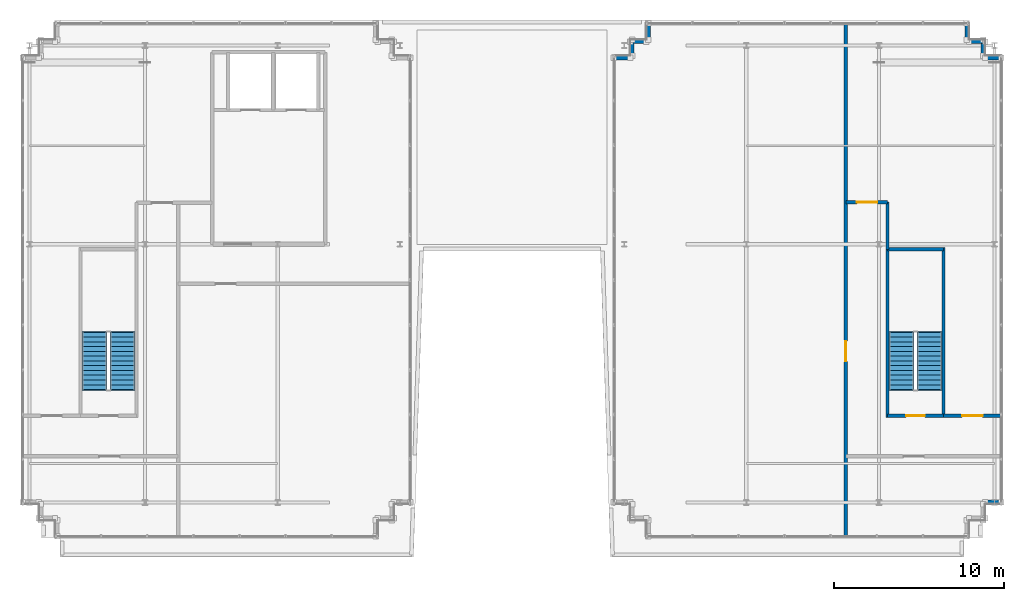
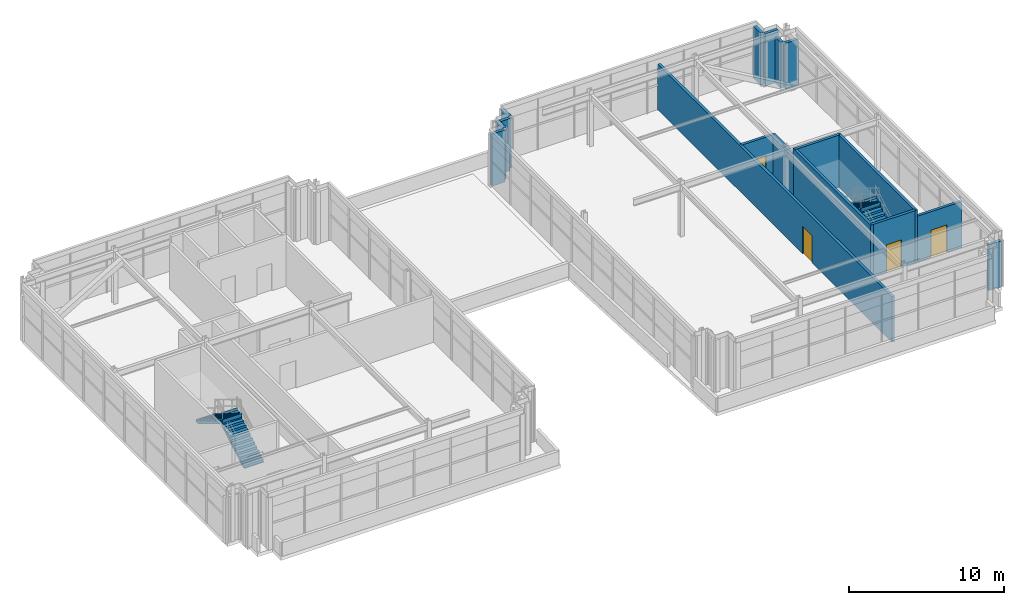
# One storey, part 29 of 31: 17 walls, 4 doors, 4 stair flights, 4 openings, 2 elements without a shape of their own.
"""IFC4 building model written with IfcOpenShell, lengths in metres."""

import ifcopenshell
import ifcopenshell.guid

model = None  # the IFC model being written
_history = None  # IfcOwnerHistory: only IFC2X3 demands one
_inside = {}  # id of a spatial element -> (the spatial element, [elements in it])
_under = {}  # id of a project, library or spatial element -> (it, [spatial elements below it])
_declared = {}  # id of a project -> (the project, [libraries it declares])
_typed = {}  # id of a type object -> (the type object, [elements of that type])
_made_of = {}  # id of a material, layer set ... -> (it, [elements and type objects made of it])


def new_model(schema):
    """Start an empty IFC model of exactly this schema.

    Asked for "IFC4X3", IfcOpenShell would pick the latest addendum, in which some entities
    have other attributes; the version numbers below select the first issue.
    IFC2X3 requires an IfcOwnerHistory on every rooted entity: one is made here for all.
    """
    global model, _history
    if schema == "IFC4X3":
        model = ifcopenshell.file(schema_version=(4, 3, 0, 0))
    else:
        model = ifcopenshell.file(schema=schema)
    _inside.clear()
    _under.clear()
    _declared.clear()
    _typed.clear()
    _made_of.clear()
    _history = None
    if model.schema == "IFC2X3":
        org = make("IfcOrganization", Name="unknown")
        user = make(
            "IfcPersonAndOrganization",
            ThePerson=make("IfcPerson", FamilyName="unknown"),
            TheOrganization=org,
        )
        app = make(
            "IfcApplication",
            ApplicationDeveloper=org,
            Version="unknown",
            ApplicationFullName="unknown",
            ApplicationIdentifier="unknown",
        )
        _history = make(
            "IfcOwnerHistory",
            OwningUser=user,
            OwningApplication=app,
            ChangeAction="ADDED",
            CreationDate=0,
        )
    return model


def make(cls, **values):
    """One entity of the class cls with the attributes given. An attribute that is None is left unset."""
    return model.create_entity(
        cls, **{name: value for name, value in values.items() if value is not None}
    )


def rooted(cls, **values):
    """An entity with a GlobalId (a new one), such as an element, a storey or a relation."""
    return make(cls, GlobalId=ifcopenshell.guid.new(), OwnerHistory=_history, **values)


def si_unit(unit_type, name, prefix=None):
    """IfcSIUnit, for example si_unit("LENGTHUNIT", "METRE", prefix="MILLI")."""
    return make("IfcSIUnit", UnitType=unit_type, Prefix=prefix, Name=name)


def assignment(units):
    """IfcUnitAssignment: the units of a project."""
    return None if units is None else make("IfcUnitAssignment", Units=units)


def point(xyz):
    """IfcCartesianPoint."""
    return None if xyz is None else make("IfcCartesianPoint", Coordinates=xyz)


def direction(xyz):
    """IfcDirection."""
    return None if xyz is None else make("IfcDirection", DirectionRatios=xyz)


def frame(location, z_axis=None, x_axis=None):
    """IfcAxis2Placement3D, a coordinate frame: its origin and axes. An axis left out is left unset."""
    return make(
        "IfcAxis2Placement3D",
        Location=point(location),
        Axis=direction(z_axis),
        RefDirection=direction(x_axis),
    )


def frame_2d(location, x_axis=None):
    """IfcAxis2Placement2D, a coordinate frame in the plane: its origin and x axis."""
    return make(
        "IfcAxis2Placement2D", Location=point(location), RefDirection=direction(x_axis)
    )


def origin():
    """The frame at (0, 0, 0) with its axes left unset."""
    return frame((0.0, 0.0, 0.0))


def place(relative_to, where):
    """IfcLocalPlacement: puts the frame where relative to a parent placement (None: the world)."""
    return make(
        "IfcLocalPlacement", PlacementRelTo=relative_to, RelativePlacement=where
    )


def context(
    kind, dimensions, precision=None, world=None, true_north=None, identifier=None
):
    """IfcGeometricRepresentationContext, for example the 3D "Model" context."""
    return make(
        "IfcGeometricRepresentationContext",
        ContextIdentifier=identifier,
        ContextType=kind,
        CoordinateSpaceDimension=dimensions,
        Precision=precision,
        WorldCoordinateSystem=world,
        TrueNorth=true_north,
    )


def subcontext(parent, identifier, kind, view, scale=None):
    """IfcGeometricRepresentationSubContext, for example "Body" below "Model"."""
    return make(
        "IfcGeometricRepresentationSubContext",
        ContextIdentifier=identifier,
        ContextType=kind,
        ParentContext=parent,
        TargetScale=scale,
        TargetView=view,
    )


def project(units=None, contexts=None):
    """IfcProject with its units and contexts."""
    return rooted(
        "IfcProject",
        Name="project",
        RepresentationContexts=contexts,
        UnitsInContext=assignment(units),
    )


def spatial(cls, under=None, at=None, **own):
    """A site, building, storey or space (cls), placed at a placement, below another one or the project."""
    s = rooted(cls, ObjectPlacement=at, **own)
    if under is not None:
        _under.setdefault(under.id(), (under, []))[1].append(s)
    return s


def polyline(points):
    """IfcPolyline through the points."""
    return make("IfcPolyline", Points=[point(p) for p in points])


def profile(cls, at=None, kind="AREA", **sizes):
    """A parametric profile (cls). Its sizes go by their IFC names, for example OverallWidth=200.0."""
    return make(cls, ProfileType=kind, Position=at, **sizes)


def rectangle(**sizes):
    """IfcRectangleProfileDef."""
    return profile("IfcRectangleProfileDef", **sizes)


def outline(outer, holes=None, kind="AREA"):
    """IfcArbitraryClosedProfileDef: a profile drawn as a closed curve; with holes, ...WithVoids."""
    if holes is None:
        return make("IfcArbitraryClosedProfileDef", ProfileType=kind, OuterCurve=outer)
    return make(
        "IfcArbitraryProfileDefWithVoids",
        ProfileType=kind,
        OuterCurve=outer,
        InnerCurves=holes,
    )


def extrude(swept, where, along, depth):
    """IfcExtrudedAreaSolid: the profile swept, set in the frame where, extruded along a direction by depth."""
    return make(
        "IfcExtrudedAreaSolid",
        SweptArea=swept,
        Position=where,
        ExtrudedDirection=direction(along),
        Depth=depth,
    )


def shape(context_of_items, identifier, shape_type, items):
    """IfcShapeRepresentation: the items that make up one representation, for example the "Body"."""
    return make(
        "IfcShapeRepresentation",
        ContextOfItems=context_of_items,
        RepresentationIdentifier=identifier,
        RepresentationType=shape_type,
        Items=items,
    )


def source(mapping_origin, context_of_items, identifier, shape_type, items):
    """IfcRepresentationMap: a shape defined once, which mapped items show again and again."""
    return make(
        "IfcRepresentationMap",
        MappingOrigin=mapping_origin,
        MappedRepresentation=shape(context_of_items, identifier, shape_type, items),
    )


def transform(
    local_origin,
    x_axis=None,
    y_axis=None,
    z_axis=None,
    scale=None,
    scale2=None,
    scale3=None,
    uniform=True,
):
    """IfcCartesianTransformationOperator3D, or its non-uniform kind. x_axis, y_axis, z_axis: its Axis1, 2, 3."""
    if uniform:
        return make(
            "IfcCartesianTransformationOperator3D",
            Axis1=direction(x_axis),
            Axis2=direction(y_axis),
            LocalOrigin=point(local_origin),
            Scale=scale,
            Axis3=direction(z_axis),
        )
    return make(
        "IfcCartesianTransformationOperator3DnonUniform",
        Axis1=direction(x_axis),
        Axis2=direction(y_axis),
        LocalOrigin=point(local_origin),
        Scale=scale,
        Axis3=direction(z_axis),
        Scale2=scale2,
        Scale3=scale3,
    )


def mapped(mapping_source, mapping_target):
    """IfcMappedItem: shows the shape of a source again, moved by a transform."""
    return make(
        "IfcMappedItem", MappingSource=mapping_source, MappingTarget=mapping_target
    )


def material(Name=None, Category=None):
    """IfcMaterial."""
    return make("IfcMaterial", Name=Name, Category=Category)


def layer(
    of_material, thickness, ventilated=None, Name=None, Category=None, Priority=None
):
    """IfcMaterialLayer: one layer of a wall or slab, of a material (None: an air gap)."""
    return make(
        "IfcMaterialLayer",
        Material=of_material,
        LayerThickness=thickness,
        IsVentilated=ventilated,
        Name=Name,
        Category=Category,
        Priority=Priority,
    )


def layer_set(layers, Name=None):
    """IfcMaterialLayerSet."""
    return make("IfcMaterialLayerSet", MaterialLayers=layers, LayerSetName=Name)


def made_of(thing, what):
    """Note that an element or type object is made of a material, layer set ...; save() writes the relation."""
    if what is not None:
        _made_of.setdefault(what.id(), (what, []))[1].append(thing)
    return thing


def type_object(cls, material=None, **own):
    """A type object (cls), such as IfcWallType, which elements share."""
    return made_of(rooted(cls, **own), material)


def element(
    cls,
    number,
    at=None,
    inside=None,
    cuts=None,
    type_object=None,
    material=None,
    context=None,
    identifier="Body",
    shape_type=None,
    held_by="IfcProductDefinitionShape",
    body=None,
    shapes=None,
    **own,
):
    """One element of the class cls, such as IfcWall. Its Tag is "e" and its number.

    at: its placement. inside: the storey or other place that contains it. cuts: it is an
    opening in that element (IfcRelVoidsElement). A single representation is given by context,
    identifier, shape_type and body (its items); several are given by shapes. held_by: the class
    of the entity that holds the representations. save() writes the other relations.
    """
    e = rooted(cls, Tag="e%d" % number, ObjectPlacement=at, **own)
    if body is not None:
        shapes = [shape(context, identifier, shape_type, body)]
    if shapes is not None:
        e.Representation = make(held_by, Representations=shapes)
    if inside is not None:
        _inside.setdefault(inside.id(), (inside, []))[1].append(e)
    if cuts is not None:
        rooted(
            "IfcRelVoidsElement", RelatingBuildingElement=cuts, RelatedOpeningElement=e
        )
    if type_object is not None:
        _typed.setdefault(type_object.id(), (type_object, []))[1].append(e)
    return made_of(e, material)


def fill(opening, filler):
    """IfcRelFillsElement: the door or window that sits in an opening."""
    return rooted(
        "IfcRelFillsElement",
        RelatingOpeningElement=opening,
        RelatedBuildingElement=filler,
    )


def aggregate(whole, parts):
    """IfcRelAggregates: a whole, such as a stair, and the parts it consists of."""
    return rooted("IfcRelAggregates", RelatingObject=whole, RelatedObjects=parts)


def save(model, path):
    """Write the relations noted so far, then the file.

    IfcRelAggregates (storeys below a building ...), IfcRelContainedInSpatialStructure (elements
    in a storey), IfcRelDefinesByType, IfcRelAssociatesMaterial and IfcRelDeclares: one each for
    every whole, place, type object, material and project.
    """
    for whole, parts in _under.values():
        aggregate(whole, parts)
    for where, things in _inside.values():
        rooted(
            "IfcRelContainedInSpatialStructure",
            RelatedElements=things,
            RelatingStructure=where,
        )
    for kind, things in _typed.values():
        rooted("IfcRelDefinesByType", RelatedObjects=things, RelatingType=kind)
    for what, things in _made_of.values():
        rooted("IfcRelAssociatesMaterial", RelatedObjects=things, RelatingMaterial=what)
    for by, libraries in _declared.values():
        rooted("IfcRelDeclares", RelatingContext=by, RelatedDefinitions=libraries)
    model.write(path)


model = new_model("IFC4")

# Units and contexts
model_context = context("Model", 3, precision=1e-05, world=origin(), true_north=direction((0.0, 1.0)))
body_context = subcontext(model_context, "Body", "Model", "MODEL_VIEW")
ifc_project = project(units=[si_unit("LENGTHUNIT", "METRE"), si_unit("AREAUNIT", "SQUARE_METRE"), si_unit("VOLUMEUNIT", "CUBIC_METRE"), si_unit("PLANEANGLEUNIT", "RADIAN"), si_unit("MASSUNIT", "GRAM", prefix="KILO")], contexts=[model_context])

# Site, building, storey
site_placement = place(None, origin())
site = spatial("IfcSite", under=ifc_project, at=site_placement, CompositionType="ELEMENT")
building_placement = place(site_placement, origin())
building = spatial("IfcBuilding", under=site, at=building_placement, Name="Trelvane Seafront Commons", CompositionType="ELEMENT")
storey_placement = place(building_placement, frame((0.0, 0.0, 307.89990234375)))
storey = spatial("IfcBuildingStorey", under=building, at=storey_placement, Name="L80", CompositionType="ELEMENT", Elevation=307.89990234375)

# Walls
ifc_material_1 = material(Name="Precast concrete C40/50", Category="concrete")
ifc_layer_1 = layer(ifc_material_1, 0.239990234375, Name="ARCH-WALL-EXT240")
ifc_layer_set_1 = layer_set([ifc_layer_1], Name="Precast concrete C40/50")
wall_type_1 = type_object("IfcWallType", Name="ARCH-WALL-EXT240", PredefinedType="SOLIDWALL", material=ifc_layer_set_1)
for number, where, z_axis, x_axis, name in (
    (1, (43.199951171875, 44.3798828125, 0.0), (0.0, 0.0, 1.0), (1.0, 0.0, 0.0), "EW-L80-CRN-01667"),
    (2, (44.27001953125, 44.5, 0.0), (0.0, 0.0, 1.0), (0.0, 1.0, 0.0), "EW-L80-CRN-01668"),
):
    element("IfcWall", number, at=place(storey_placement, frame(where, z_axis=z_axis, x_axis=x_axis)), inside=storey, type_object=wall_type_1, Name=name, PredefinedType="SOLIDWALL", context=body_context, shape_type="SweptSolid", body=[
        extrude(rectangle(XDim=0.949951171875, YDim=0.239990234375, at=frame_2d((0.47509765625, 0.0))), origin(), (0.0, 0.0, 1.0), 4.10009765625),
    ])
wall_1_placement = place(storey_placement, frame((44.14990234375, 45.330078125, 0.0), z_axis=(0.0, 0.0, 1.0), x_axis=(1.0, 0.0, 0.0)))
element("IfcWall", 3, at=wall_1_placement, inside=storey, type_object=wall_type_1, Name="EW-L80-CRN-01669", PredefinedType="SOLIDWALL", context=body_context, shape_type="SweptSolid", body=[
    extrude(rectangle(XDim=0.9501953125, YDim=0.239990234375, at=frame_2d((0.47509765625, 0.0))), origin(), (0.0, 0.0, 1.0), 4.10009765625),
])
for number, where, z_axis, x_axis, name in (
    (4, (45.219970703125, 45.449951171875, 0.0), (0.0, 0.0, 1.0), (0.0, 1.0, 0.0), "EW-L80-CRN-01670"),
    (5, (63.97998046875, 46.39990234375, 0.0), (0.0, 0.0, 1.0), (0.0, -1.0, 0.0), "EW-L80-CRN-01671"),
    (6, (64.10009765625, 45.330078125, 0.0), (0.0, 0.0, 1.0), (1.0, 0.0, 0.0), "EW-L80-CRN-01672"),
):
    element("IfcWall", number, at=place(storey_placement, frame(where, z_axis=z_axis, x_axis=x_axis)), inside=storey, type_object=wall_type_1, Name=name, PredefinedType="SOLIDWALL", context=body_context, shape_type="SweptSolid", body=[
        extrude(rectangle(XDim=0.949951171875, YDim=0.239990234375, at=frame_2d((0.47509765625, 0.0))), origin(), (0.0, 0.0, 1.0), 4.10009765625),
    ])
for number, where, z_axis, x_axis, name in (
    (7, (64.929931640625, 45.449951171875, 0.0), (0.0, 0.0, 1.0), (0.0, -1.0, 0.0), "EW-L80-CRN-01673"),
    (8, (65.050048828125, 44.3798828125, 0.0), (0.0, 0.0, 1.0), (1.0, 0.0, 0.0), "EW-L80-CRN-01674"),
    (9, (66.0, 18.219970703125, 0.0), (0.0, 0.0, 1.0), (-1.0, 0.0, 0.0), "EW-L80-CRN-01675"),
):
    element("IfcWall", number, at=place(storey_placement, frame(where, z_axis=z_axis, x_axis=x_axis)), inside=storey, type_object=wall_type_1, Name=name, PredefinedType="SOLIDWALL", context=body_context, shape_type="SweptSolid", body=[
        extrude(rectangle(XDim=0.949951171875, YDim=0.239990234375, at=frame_2d((0.47509765625, 0.0))), origin(), (0.0, 0.0, 1.0), 3.60009765625),
    ])

# Wall, opening, door
ifc_material_2 = material(Name="Concrete C40/50", Category="concrete")
ifc_layer_2 = layer(ifc_material_2, 0.199951171875, Name="ARCH-WALL-FIRE200")
ifc_layer_set_2 = layer_set([ifc_layer_2], Name="Concrete C40/50")
wall_type_2 = type_object("IfcWallType", Name="ARCH-WALL-FIRE200", PredefinedType="PARTITIONING", material=ifc_layer_set_2)
wall_2_placement = place(storey_placement, frame((56.85009765625, 16.2099609375, 0.0), z_axis=(0.0, 0.0, 1.0), x_axis=(0.0, 1.0, 0.0)))
wall_2 = element("IfcWall", 10, at=wall_2_placement, inside=storey, type_object=wall_type_2, Name="W-L80-CRNE-W-023", PredefinedType="PARTITIONING", context=body_context, shape_type="SweptSolid", body=[
    extrude(rectangle(XDim=30.179931640625, YDim=0.199951171875, at=frame_2d((15.08984375, 0.0))), origin(), (0.0, 0.0, 1.0), 3.60009765625),
])
opening_1_placement = place(wall_2_placement, frame((10.2900390625, 0.0, 0.0)))
opening_1 = element("IfcOpeningElement", 11, at=opening_1_placement, cuts=wall_2, Name="Opening FD-L80-10", PredefinedType="OPENING", context=body_context, shape_type="SweptSolid", body=[
    extrude(rectangle(XDim=1.199951171875, YDim=2.14990234375, at=frame_2d((0.60009765625, 1.074951171875))), frame((0.0, 0.10986328125, 0.0), z_axis=(0.0, -1.0, 0.0), x_axis=(1.0, 0.0, 0.0)), (0.0, 0.0, 1.0), 0.219970703125),
])
ifc_material_3 = material(Name="Powder-coated aluminium frame", Category="aluminium")
door_type_1 = type_object("IfcDoorType", Name="ARCH-DR-FD60-1200", OperationType="NOTDEFINED", PredefinedType="DOOR", material=ifc_material_3)
shared_shape_1 = source(origin(), body_context, "Body", "SweptSolid", [
    extrude(rectangle(XDim=1.199951171875, YDim=2.14990234375, at=frame_2d((0.60009765625, 1.074951171875))), frame((0.0, 0.02490234375, 0.0), z_axis=(0.0, -1.0, 0.0), x_axis=(1.0, 0.0, 0.0)), (0.0, 0.0, 1.0), 0.050048828125),
])
door_1_placement = place(opening_1_placement, origin())
door_1 = element("IfcDoor", 12, at=door_1_placement, inside=storey, type_object=door_type_1, Name="L80 Break Tank Room Door", OperationType="SINGLE_SWING_RIGHT", OverallHeight=2.14990234375, OverallWidth=1.199951171875, PredefinedType="DOOR", context=body_context, shape_type="MappedRepresentation", body=[
    mapped(shared_shape_1, transform((0.0, 0.0, 0.0), x_axis=(1.0, 0.0, 0.0), y_axis=(0.0, 1.0, 0.0), z_axis=(0.0, 0.0, 1.0), scale=1.0)),
])
fill(opening_1, door_1)

wall_3_placement = place(storey_placement, frame((62.60009765625, 23.300048828125, 0.0), z_axis=(0.0, 0.0, 1.0), x_axis=(1.0, 0.0, 0.0)))
wall_3 = element("IfcWall", 13, at=wall_3_placement, inside=storey, type_object=wall_type_2, Name="W-L80-CRNE-ETK-025", PredefinedType="PARTITIONING", context=body_context, shape_type="SweptSolid", body=[
    extrude(rectangle(XDim=3.389892578125, YDim=0.199951171875, at=frame_2d((1.69482421875, 0.0))), origin(), (0.0, 0.0, 1.0), 3.60009765625),
])
opening_2_placement = place(wall_3_placement, frame((1.10009765625, 0.0, 0.0)))
opening_2 = element("IfcOpeningElement", 14, at=opening_2_placement, cuts=wall_3, Name="Opening FD-L80-12", PredefinedType="OPENING", context=body_context, shape_type="SweptSolid", body=[
    extrude(rectangle(XDim=1.199951171875, YDim=2.14990234375, at=frame_2d((0.60009765625, 1.074951171875))), frame((0.0, 0.10986328125, 0.0), z_axis=(0.0, -1.0, 0.0), x_axis=(1.0, 0.0, 0.0)), (0.0, 0.0, 1.0), 0.219970703125),
])
door_2_placement = place(opening_2_placement, origin())
door_2 = element("IfcDoor", 15, at=door_2_placement, inside=storey, type_object=door_type_1, Name="L80 Door 12", OperationType="SINGLE_SWING_RIGHT", OverallHeight=2.14990234375, OverallWidth=1.199951171875, PredefinedType="DOOR", context=body_context, shape_type="MappedRepresentation", body=[
    mapped(shared_shape_1, transform((0.0, 0.0, 0.0), x_axis=(1.0, 0.0, 0.0), y_axis=(0.0, 1.0, 0.0), z_axis=(0.0, 0.0, 1.0), scale=1.0)),
])
fill(opening_2, door_2)

wall_4_placement = place(storey_placement, frame((56.85009765625, 35.8798828125, 0.0), z_axis=(0.0, 0.0, 1.0), x_axis=(1.0, 0.0, 0.0)))
wall_4 = element("IfcWall", 16, at=wall_4_placement, inside=storey, type_object=wall_type_2, Name="W-L80-CRNE-N-026", PredefinedType="PARTITIONING", context=body_context, shape_type="SweptSolid", body=[
    extrude(rectangle(XDim=2.449951171875, YDim=0.199951171875, at=frame_2d((1.22509765625, 0.0))), origin(), (0.0, 0.0, 1.0), 3.60009765625),
])
opening_3_placement = place(wall_4_placement, frame((0.64990234375, 0.0, 0.0)))
opening_3 = element("IfcOpeningElement", 17, at=opening_3_placement, cuts=wall_4, Name="Opening FD-L80-13", PredefinedType="OPENING", context=body_context, shape_type="SweptSolid", body=[
    extrude(rectangle(XDim=1.199951171875, YDim=2.14990234375, at=frame_2d((0.60009765625, 1.074951171875))), frame((0.0, 0.10986328125, 0.0), z_axis=(0.0, -1.0, 0.0), x_axis=(1.0, 0.0, 0.0)), (0.0, 0.0, 1.0), 0.219970703125),
])
door_3_placement = place(opening_3_placement, origin())
door_3 = element("IfcDoor", 18, at=door_3_placement, inside=storey, type_object=door_type_1, Name="L80 BMS Fan Room Door", OperationType="SINGLE_SWING_LEFT", OverallHeight=2.14990234375, OverallWidth=1.199951171875, PredefinedType="DOOR", context=body_context, shape_type="MappedRepresentation", body=[
    mapped(shared_shape_1, transform((0.0, 0.0, 0.0), x_axis=(1.0, 0.0, 0.0), y_axis=(0.0, 1.0, 0.0), z_axis=(0.0, 0.0, 1.0), scale=1.0)),
])
fill(opening_3, door_3)

# Walls
wall_5_placement = place(storey_placement, frame((59.300048828125, 33.10009765625, 0.0), z_axis=(0.0, 0.0, 1.0), x_axis=(0.0, 1.0, 0.0)))
element("IfcWall", 19, at=wall_5_placement, inside=storey, type_object=wall_type_2, Name="W-L80-CRNE-SPE-027", PredefinedType="PARTITIONING", context=body_context, shape_type="SweptSolid", body=[
    extrude(rectangle(XDim=2.77978515625, YDim=0.199951171875, at=frame_2d((1.389892578125, 0.0))), origin(), (0.0, 0.0, 1.0), 3.60009765625),
])
ifc_material_4 = material(Name="Concrete C50/60", Category="concrete")
ifc_layer_3 = layer(ifc_material_4, 0.199951171875, Name="STR-WALL-STAIR200")
ifc_layer_set_3 = layer_set([ifc_layer_3], Name="Concrete C50/60")
wall_type_3 = type_object("IfcWallType", Name="STR-WALL-STAIR200", PredefinedType="SHEAR", material=ifc_layer_set_3)
for number, where, z_axis, x_axis, name in (
    (20, (59.300048828125, 23.199951171875, 0.0), (0.0, 0.0, 1.0), (0.0, 1.0, 0.0), "W-L80-ST6-W-005"),
    (21, (62.60009765625, 23.199951171875, 0.0), (0.0, 0.0, 1.0), (0.0, 1.0, 0.0), "W-L80-ST6-E-006"),
):
    element("IfcWall", number, at=place(storey_placement, frame(where, z_axis=z_axis, x_axis=x_axis)), inside=storey, type_object=wall_type_3, Name=name, PredefinedType="SHEAR", context=body_context, shape_type="SweptSolid", body=[
        extrude(rectangle(XDim=10.0, YDim=0.199951171875, at=frame_2d((5.0, 0.0))), origin(), (0.0, 0.0, 1.0), 4.10009765625),
    ])
wall_6_placement = place(storey_placement, frame((59.300048828125, 33.10009765625, 0.0), z_axis=(0.0, 0.0, 1.0), x_axis=(1.0, 0.0, 0.0)))
element("IfcWall", 22, at=wall_6_placement, inside=storey, type_object=wall_type_3, Name="W-L80-ST6-N-007", PredefinedType="SHEAR", context=body_context, shape_type="SweptSolid", body=[
    extrude(rectangle(XDim=3.300048828125, YDim=0.199951171875, at=frame_2d((1.64990234375, 0.0))), origin(), (0.0, 0.0, 1.0), 4.10009765625),
])

# Wall, opening, door
wall_7_placement = place(storey_placement, frame((59.300048828125, 23.300048828125, 0.0), z_axis=(0.0, 0.0, 1.0), x_axis=(1.0, 0.0, 0.0)))
wall_7 = element("IfcWall", 23, at=wall_7_placement, inside=storey, type_object=wall_type_3, Name="W-L80-ST6-S-008", PredefinedType="SHEAR", context=body_context, shape_type="SweptSolid", body=[
    extrude(rectangle(XDim=3.300048828125, YDim=0.199951171875, at=frame_2d((1.64990234375, 0.0))), origin(), (0.0, 0.0, 1.0), 4.10009765625),
])
opening_4_placement = place(wall_7_placement, frame((1.10009765625, 0.0, 0.0)))
opening_4 = element("IfcOpeningElement", 24, at=opening_4_placement, cuts=wall_7, Name="Opening ST-D-ST6-L80", PredefinedType="OPENING", context=body_context, shape_type="SweptSolid", body=[
    extrude(rectangle(XDim=1.10009765625, YDim=2.14990234375, at=frame_2d((0.550048828125, 1.074951171875))), frame((0.0, 0.10986328125, 0.0), z_axis=(0.0, -1.0, 0.0), x_axis=(1.0, 0.0, 0.0)), (0.0, 0.0, 1.0), 0.219970703125),
])
door_type_2 = type_object("IfcDoorType", Name="ARCH-DR-FD90-1100", OperationType="NOTDEFINED", PredefinedType="DOOR", material=ifc_material_3)
shared_shape_2 = source(origin(), body_context, "Body", "SweptSolid", [
    extrude(rectangle(XDim=1.10009765625, YDim=2.14990234375, at=frame_2d((0.550048828125, 1.074951171875))), frame((0.0, 0.02490234375, 0.0), z_axis=(0.0, -1.0, 0.0), x_axis=(1.0, 0.0, 0.0)), (0.0, 0.0, 1.0), 0.050048828125),
])
door_4_placement = place(opening_4_placement, origin())
door_4 = element("IfcDoor", 25, at=door_4_placement, inside=storey, type_object=door_type_2, Name="L80 Crown ST6 Fire Door", OperationType="SINGLE_SWING_RIGHT", OverallHeight=2.14990234375, OverallWidth=1.10009765625, PredefinedType="DOOR", context=body_context, shape_type="MappedRepresentation", body=[
    mapped(shared_shape_2, transform((0.0, 0.0, 0.0), x_axis=(1.0, 0.0, 0.0), y_axis=(0.0, 1.0, 0.0), z_axis=(0.0, 0.0, 1.0), scale=1.0)),
])
fill(opening_4, door_4)

# Stair, stair flights
stair_type_1 = type_object("IfcStairType", Name="ARCH-STR-ST-5-R26-169", PredefinedType="HALF_TURN_STAIR", material=ifc_material_2)
stair_1_placement = place(storey_placement, origin())
stair_1 = element("IfcStair", 26, at=stair_1_placement, inside=storey, type_object=stair_type_1, Name="L80 Crown West Peak Enclosed Maintenance Exit Stair ST-5", PredefinedType="HALF_TURN_STAIR")
stair_flight_type_1 = type_object("IfcStairFlightType", Name="ARCH-FLG-ST-5-R26-169", PredefinedType="STRAIGHT", material=ifc_material_2)
shared_shape_3 = source(origin(), body_context, "Body", "SweptSolid", [
    extrude(outline(polyline([(-0.050048828125, -0.02001953125), (-0.050048828125, 0.0), (0.0, 0.0), (0.0, 0.169189453125), (0.280029296875, 0.169189453125), (0.280029296875, 0.33837890625), (0.56005859375, 0.33837890625), (0.56005859375, 0.5078125), (0.840087890625, 0.5078125), (0.840087890625, 0.677001953125), (1.1201171875, 0.677001953125), (1.1201171875, 0.84619140625), (1.39990234375, 0.84619140625), (1.39990234375, 1.015380859375), (1.679931640625, 1.015380859375), (1.679931640625, 1.1845703125), (1.9599609375, 1.1845703125), (1.9599609375, 1.353759765625), (2.239990234375, 1.353759765625), (2.239990234375, 1.523193359375), (2.52001953125, 1.523193359375), (2.52001953125, 1.6923828125), (2.800048828125, 1.6923828125), (2.800048828125, 1.861572265625), (3.080078125, 1.861572265625), (3.080078125, 2.03076171875), (3.360107421875, 2.03076171875), (3.360107421875, 2.199951171875), (3.409912109375, 2.199951171875), (3.409912109375, 2.050048828125), (3.360107421875, 1.855712890625), (0.289794921875, -0.02001953125), (-0.050048828125, -0.02001953125)])), frame((0.0, 0.72509765625, 0.0), z_axis=(0.0, -1.0, 0.0), x_axis=(1.0, 0.0, 0.0)), (0.0, 0.0, 1.0), 1.449951171875),
])
stair_flight_1_placement = place(storey_placement, frame((14.27490234375, 24.85009765625, 0.0), z_axis=(0.0, 0.0, 1.0), x_axis=(0.0, 1.0, 0.0)))
stair_flight_1 = element("IfcStairFlight", 27, at=stair_flight_1_placement, type_object=stair_flight_type_1, Name="ST-5 flight 1", NumberOfRisers=13, NumberOfTreads=12, PredefinedType="STRAIGHT", RiserHeight=0.169230769, TreadLength=0.28, context=body_context, shape_type="MappedRepresentation", body=[
    mapped(shared_shape_3, transform((0.0, 0.0, 0.0), x_axis=(1.0, 0.0, 0.0), y_axis=(0.0, 1.0, 0.0), z_axis=(0.0, 0.0, 1.0), scale=1.0)),
])
stair_flight_2_placement = place(storey_placement, frame((12.625, 28.2099609375, 2.2001953125), z_axis=(0.0, 0.0, 1.0), x_axis=(0.0, -1.0, 0.0)))
stair_flight_2 = element("IfcStairFlight", 28, at=stair_flight_2_placement, type_object=stair_flight_type_1, Name="ST-5 flight 2", NumberOfRisers=13, NumberOfTreads=12, PredefinedType="STRAIGHT", RiserHeight=0.169230769, TreadLength=0.28, context=body_context, shape_type="MappedRepresentation", body=[
    mapped(shared_shape_3, transform((0.0, 0.0, 0.0), x_axis=(1.0, 0.0, 0.0), y_axis=(0.0, 1.0, 0.0), z_axis=(0.0, 0.0, 1.0), scale=1.0)),
])
aggregate(stair_1, [stair_flight_1, stair_flight_2])

stair_type_2 = type_object("IfcStairType", Name="ARCH-STR-ST-6-R26-169", PredefinedType="HALF_TURN_STAIR", material=ifc_material_2)
stair_2_placement = place(storey_placement, origin())
stair_2 = element("IfcStair", 29, at=stair_2_placement, inside=storey, type_object=stair_type_2, Name="L80 Crown East Peak Enclosed Maintenance Exit Stair ST-6", PredefinedType="HALF_TURN_STAIR")
stair_flight_type_2 = type_object("IfcStairFlightType", Name="ARCH-FLG-ST-6-R26-169", PredefinedType="STRAIGHT", material=ifc_material_2)
stair_flight_3_placement = place(storey_placement, frame((61.77490234375, 24.85009765625, 0.0), z_axis=(0.0, 0.0, 1.0), x_axis=(0.0, 1.0, 0.0)))
stair_flight_3 = element("IfcStairFlight", 30, at=stair_flight_3_placement, type_object=stair_flight_type_2, Name="ST-6 flight 1", NumberOfRisers=13, NumberOfTreads=12, PredefinedType="STRAIGHT", RiserHeight=0.169230769, TreadLength=0.28, context=body_context, shape_type="MappedRepresentation", body=[
    mapped(shared_shape_3, transform((0.0, 0.0, 0.0), x_axis=(1.0, 0.0, 0.0), y_axis=(0.0, 1.0, 0.0), z_axis=(0.0, 0.0, 1.0), scale=1.0)),
])
stair_flight_4_placement = place(storey_placement, frame((60.125, 28.2099609375, 2.2001953125), z_axis=(0.0, 0.0, 1.0), x_axis=(0.0, -1.0, 0.0)))
stair_flight_4 = element("IfcStairFlight", 31, at=stair_flight_4_placement, type_object=stair_flight_type_2, Name="ST-6 flight 2", NumberOfRisers=13, NumberOfTreads=12, PredefinedType="STRAIGHT", RiserHeight=0.169230769, TreadLength=0.28, context=body_context, shape_type="MappedRepresentation", body=[
    mapped(shared_shape_3, transform((0.0, 0.0, 0.0), x_axis=(1.0, 0.0, 0.0), y_axis=(0.0, 1.0, 0.0), z_axis=(0.0, 0.0, 1.0), scale=1.0)),
])
aggregate(stair_2, [stair_flight_3, stair_flight_4])

save(model, "model.ifc")
